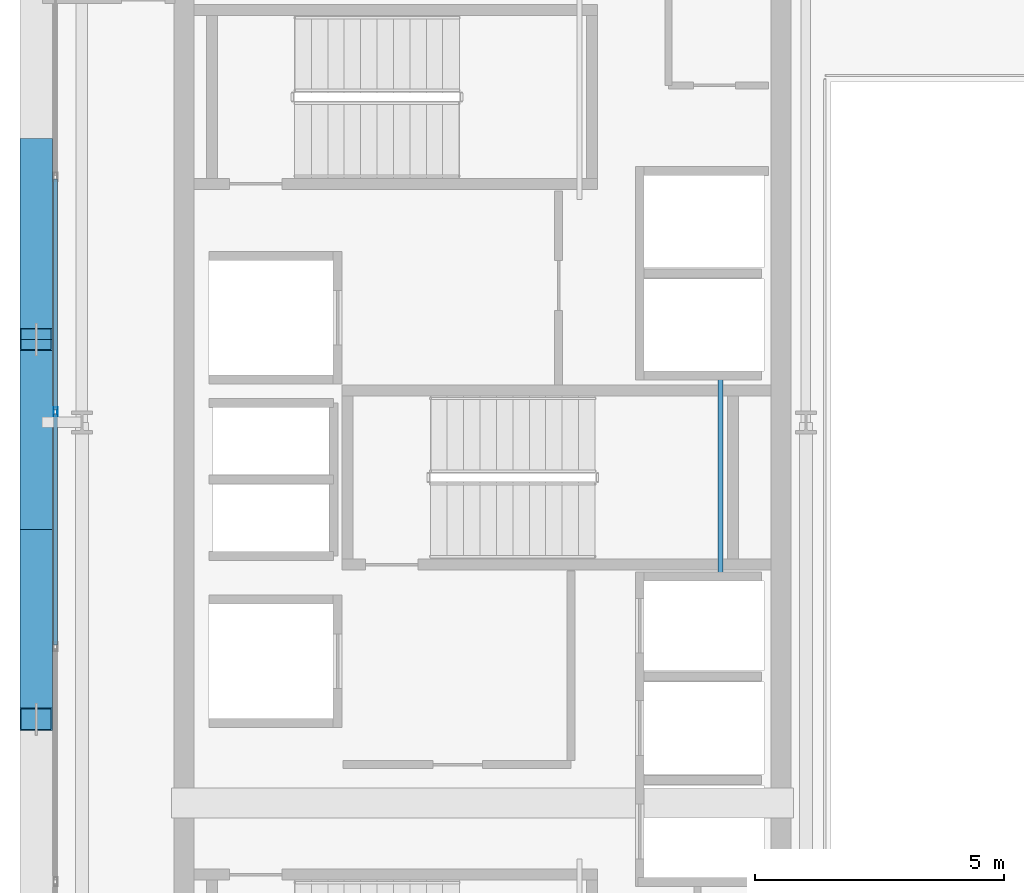
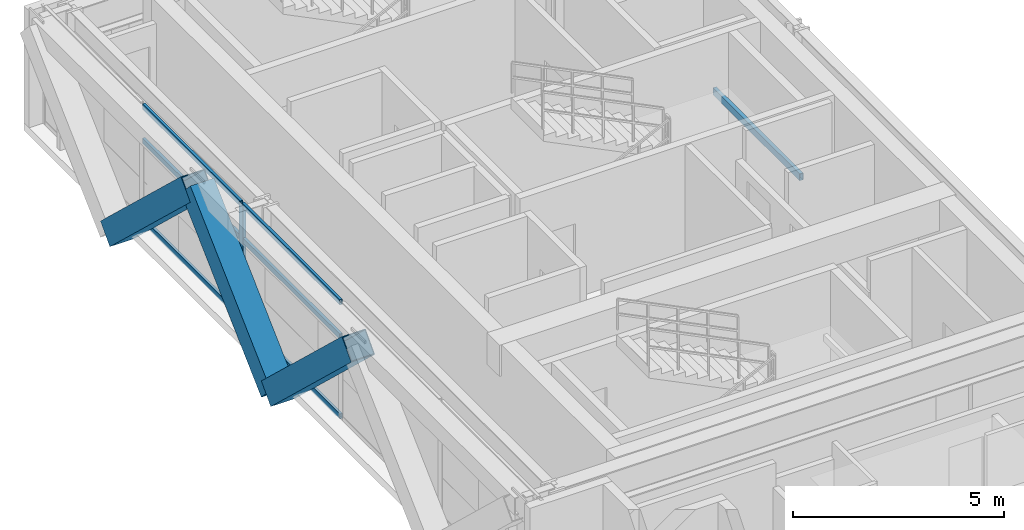
# One storey, part 6 of 28: 10 members, 1 beam, 1 element without a shape of its own.
"""IFC4 building model written with IfcOpenShell, lengths in metres."""

from ifc_helpers import new_model, si_unit, direction, frame, origin, origin_2d, place, context, subcontext, project, spatial, hollow_rectangle, extrude, source, transform, mapped, material, layer, layer_set, material_profile, profile_set, type_object, element, aggregate, save


model = new_model("IFC4")

# Units and contexts
model_context = context("Model", 3, precision=1e-05, world=origin(), true_north=direction((0.0, 1.0)))
body_context = subcontext(model_context, "Body", "Model", "MODEL_VIEW")
ifc_project = project(units=[si_unit("LENGTHUNIT", "METRE"), si_unit("AREAUNIT", "SQUARE_METRE"), si_unit("VOLUMEUNIT", "CUBIC_METRE"), si_unit("PLANEANGLEUNIT", "RADIAN"), si_unit("MASSUNIT", "GRAM", prefix="KILO")], contexts=[model_context])

# Site, building, storey
site_placement = place(None, origin())
site = spatial("IfcSite", under=ifc_project, at=site_placement, CompositionType="ELEMENT")
building_placement = place(site_placement, origin())
building = spatial("IfcBuilding", under=site, at=building_placement, Name="Ocotamira Hotel", CompositionType="ELEMENT")
storey_placement = place(building_placement, frame((0.0, 0.0, 240.0)))
storey = spatial("IfcBuildingStorey", under=building, at=storey_placement, Name="L60", CompositionType="ELEMENT", Elevation=240.0)

# Beam
ifc_material_1 = material(Name="Steel ASTM A500 Grade C", Category="steel")
ifc_material_profile_1 = material_profile(ifc_material_1, hollow_rectangle(XDim=0.10009765625, YDim=0.199951171875, WallThickness=0.008056640625, at=origin_2d()), Name="HSS200X100X8")
ifc_profile_set_1 = profile_set([ifc_material_profile_1], Name="Steel ASTM A500 Grade C")
beam_type = type_object("IfcBeamType", Name="BM-STLDG-HSS200", PredefinedType="BEAM", material=ifc_profile_set_1)
shared_shape_1 = source(origin(), body_context, "Body", "SweptSolid", [
    extrude(hollow_rectangle(XDim=0.10009765625, YDim=0.199951171875, WallThickness=0.008056640625, at=origin_2d()), origin(), (0.0, 0.0, 1.0), 4.1201171875),
])
beam_placement = place(storey_placement, frame((21.780029296875, 24.97998046875, 1.5), z_axis=(0.0, 1.0, 0.0), x_axis=(-1.0, 0.0, 0.0)))
element("IfcBeam", 1, at=beam_placement, inside=storey, type_object=beam_type, Name="L60 Stair ST-3 Landing Bearer 1", PredefinedType="BEAM", context=body_context, shape_type="MappedRepresentation", body=[
    mapped(shared_shape_1, transform((0.0, 0.0, 0.0), scale=1.0)),
])

# Members
ifc_material_2 = material(Name="Pale-metal coated steel ASTM A913 Grade 65", Category="steel")
ifc_material_profile_2 = material_profile(ifc_material_2, hollow_rectangle(XDim=0.64990234375, YDim=0.64990234375, WallThickness=0.02197265625, at=origin_2d()), Name="BOX650X650X22")
ifc_profile_set_2 = profile_set([ifc_material_profile_2], Name="Pale-metal coated steel ASTM A913 Grade 65")
member_type_1 = type_object("IfcMemberType", Name="MEM-EXO-BOX650", PredefinedType="BRACE", material=ifc_profile_set_2)
shared_shape_2 = source(origin(), body_context, "Body", "SweptSolid", [
    extrude(hollow_rectangle(XDim=0.64990234375, YDim=0.64990234375, WallThickness=0.02197265625, at=origin_2d()), origin(), (0.0, 0.0, 1.0), 5.24658203125),
])
for number, where, z_axis, x_axis, name in (
    (2, (8.030029296875, 26.0, -0.469970703125), (0.0, -0.72746596067, 0.686143772154), (1.0, 0.0, 0.0), "L60 Exoskeleton Diagrid W1.1"),
    (3, (8.030029296875, 26.0, -0.469970703125), (0.0, 0.72746596067, 0.686143772154), (-1.0, 0.0, 0.0), "L60 Exoskeleton Diagrid W1.2"),
    (4, (8.030029296875, 33.63330078125, -0.469970703125), (0.0, -0.72746596067, 0.686143772154), (1.0, 0.0, 0.0), "L60 Exoskeleton Diagrid W2.1"),
):
    element("IfcMember", number, at=place(storey_placement, frame(where, z_axis=z_axis, x_axis=x_axis)), inside=storey, type_object=member_type_1, Name=name, PredefinedType="BRACE", context=body_context, shape_type="MappedRepresentation", body=[
        mapped(shared_shape_2, transform((0.0, 0.0, 0.0), scale=1.0)),
    ])

# Curtain wall, members
ifc_material_3 = material(Name="Anodised pale-metal aluminium and solar glass", Category="aluminium")
ifc_layer = layer(ifc_material_3, 0.239990234375)
ifc_layer_set = layer_set([ifc_layer], Name="Anodised pale-metal aluminium and solar glass")
curtain_wall_type = type_object("IfcCurtainWallType", Name="CW-SYS5-SKY", PredefinedType="NOTDEFINED", material=ifc_layer_set)
curtain_wall_placement = place(storey_placement, origin())
curtain_wall = element("IfcCurtainWall", 5, at=curtain_wall_placement, inside=storey, type_object=curtain_wall_type, Name="L60 Curtain Wall CW-5 CW-L60-W", PredefinedType="NOTDEFINED")
ifc_material_4 = material(Name="Anodised pale-metal aluminium 6063-T6", Category="aluminium")
ifc_material_profile_3 = material_profile(ifc_material_4, hollow_rectangle(XDim=0.080078125, YDim=0.179931640625, WallThickness=0.006103515625, at=origin_2d()), Name="HSS180X80X6")
ifc_profile_set_3 = profile_set([ifc_material_profile_3], Name="Anodised pale-metal aluminium 6063-T6")
member_type_2 = type_object("IfcMemberType", Name="CWM-180X75", PredefinedType="MULLION", material=ifc_profile_set_3)
shared_shape_3 = source(origin(), body_context, "Body", "SweptSolid", [
    extrude(hollow_rectangle(XDim=0.080078125, YDim=0.179931640625, WallThickness=0.006103515625, at=origin_2d()), origin(), (0.0, 0.0, 1.0), 3.3798828125),
])
member_1_placement = place(storey_placement, frame((8.419921875, 28.360107421875, 0.0), z_axis=(0.0, 0.0, 1.0), x_axis=(-1.0, 0.0, 0.0)))
member_1 = element("IfcMember", 6, at=member_1_placement, type_object=member_type_2, Name="CW-5 mullion 4", PredefinedType="MULLION", context=body_context, shape_type="MappedRepresentation", body=[
    mapped(shared_shape_3, transform((0.0, 0.0, 0.0), scale=1.0)),
])
ifc_material_profile_4 = material_profile(ifc_material_4, hollow_rectangle(XDim=0.074951171875, YDim=0.14990234375, WallThickness=0.006103515625, at=origin_2d()), Name="HSS150X75X6")
ifc_profile_set_4 = profile_set([ifc_material_profile_4], Name="Anodised pale-metal aluminium 6063-T6")
member_type_3 = type_object("IfcMemberType", Name="CWT-150X75", PredefinedType="USERDEFINED", material=ifc_profile_set_4)
shared_shape_4 = source(origin(), body_context, "Body", "SweptSolid", [
    extrude(hollow_rectangle(XDim=0.074951171875, YDim=0.14990234375, WallThickness=0.006103515625, at=origin_2d()), origin(), (0.0, 0.0, 1.0), 4.64013671875),
])
member_2_placement = place(storey_placement, frame((8.419921875, 23.679931640625, 0.03759765625), z_axis=(0.0, 1.0, 0.0), x_axis=(-1.0, 0.0, 0.0)))
member_2 = element("IfcMember", 7, at=member_2_placement, type_object=member_type_3, Name="CW-5 transom 3.1", ObjectType="TRANSOM", PredefinedType="USERDEFINED", context=body_context, shape_type="MappedRepresentation", body=[
    mapped(shared_shape_4, transform((0.0, 0.0, 0.0), scale=1.0)),
])
member_3_placement = place(storey_placement, frame((8.419921875, 23.679931640625, 2.35009765625), z_axis=(0.0, 1.0, 0.0), x_axis=(-1.0, 0.0, 0.0)))
member_3 = element("IfcMember", 8, at=member_3_placement, type_object=member_type_3, Name="CW-5 transom 3.2", ObjectType="TRANSOM", PredefinedType="USERDEFINED", context=body_context, shape_type="MappedRepresentation", body=[
    mapped(shared_shape_4, transform((0.0, 0.0, 0.0), scale=1.0)),
])
member_4_placement = place(storey_placement, frame((8.419921875, 23.679931640625, 3.342529296875), z_axis=(0.0, 1.0, 0.0), x_axis=(-1.0, 0.0, 0.0)))
member_4 = element("IfcMember", 9, at=member_4_placement, type_object=member_type_3, Name="CW-5 transom 3.3", ObjectType="TRANSOM", PredefinedType="USERDEFINED", context=body_context, shape_type="MappedRepresentation", body=[
    mapped(shared_shape_4, transform((0.0, 0.0, 0.0), scale=1.0)),
])
member_5_placement = place(storey_placement, frame((8.419921875, 28.39990234375, 0.03759765625), z_axis=(0.0, 1.0, 0.0), x_axis=(-1.0, 0.0, 0.0)))
member_5 = element("IfcMember", 10, at=member_5_placement, type_object=member_type_3, Name="CW-5 transom 4.1", ObjectType="TRANSOM", PredefinedType="USERDEFINED", context=body_context, shape_type="MappedRepresentation", body=[
    mapped(shared_shape_4, transform((0.0, 0.0, 0.0), scale=1.0)),
])
member_6_placement = place(storey_placement, frame((8.419921875, 28.39990234375, 2.35009765625), z_axis=(0.0, 1.0, 0.0), x_axis=(-1.0, 0.0, 0.0)))
member_6 = element("IfcMember", 11, at=member_6_placement, type_object=member_type_3, Name="CW-5 transom 4.2", ObjectType="TRANSOM", PredefinedType="USERDEFINED", context=body_context, shape_type="MappedRepresentation", body=[
    mapped(shared_shape_4, transform((0.0, 0.0, 0.0), scale=1.0)),
])
member_7_placement = place(storey_placement, frame((8.419921875, 28.39990234375, 3.342529296875), z_axis=(0.0, 1.0, 0.0), x_axis=(-1.0, 0.0, 0.0)))
member_7 = element("IfcMember", 12, at=member_7_placement, type_object=member_type_3, Name="CW-5 transom 4.3", ObjectType="TRANSOM", PredefinedType="USERDEFINED", context=body_context, shape_type="MappedRepresentation", body=[
    mapped(shared_shape_4, transform((0.0, 0.0, 0.0), scale=1.0)),
])
aggregate(curtain_wall, [member_1, member_2, member_3, member_4, member_5, member_6, member_7])

save(model, "model.ifc")
